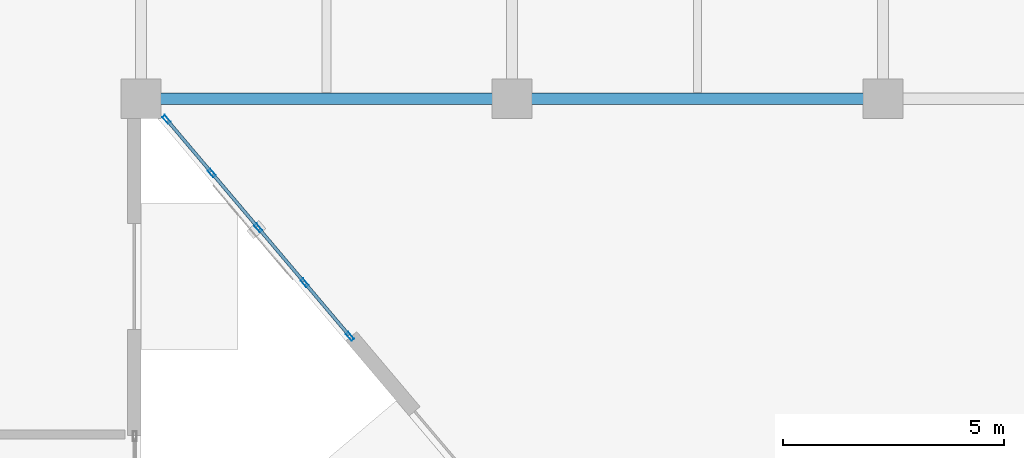
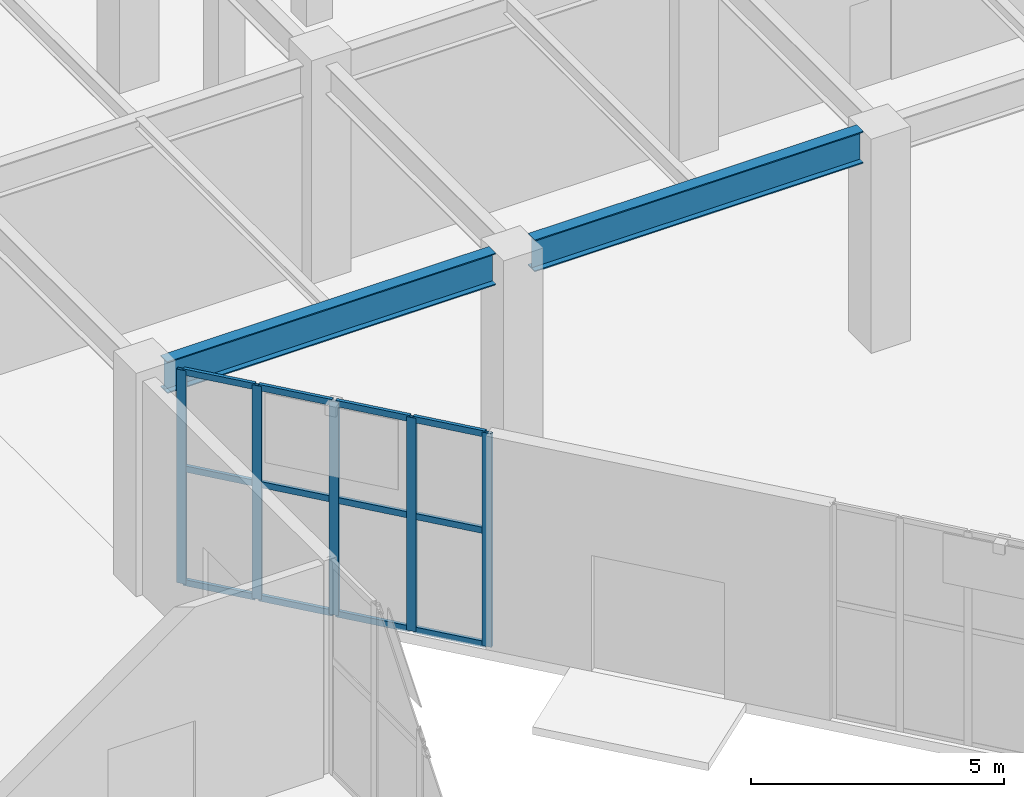
# One storey, part 16 of 139: 17 members, 2 beams, 1 element without a shape of its own.
"""IFC4 building model written with IfcOpenShell, lengths in metres."""

from ifc_helpers import new_model, si_unit, direction, frame, origin, origin_2d, place, context, subcontext, project, spatial, hollow_rectangle, i_section, extrude, material, layer, layer_set, material_profile, profile_set, type_object, element, aggregate, save


model = new_model("IFC4")

# Units and contexts
model_context = context("Model", 3, precision=1e-05, world=origin(), true_north=direction((0.0, 1.0)))
body_context = subcontext(model_context, "Body", "Model", "MODEL_VIEW")
ifc_project = project(units=[si_unit("LENGTHUNIT", "METRE"), si_unit("AREAUNIT", "SQUARE_METRE"), si_unit("VOLUMEUNIT", "CUBIC_METRE"), si_unit("PLANEANGLEUNIT", "RADIAN"), si_unit("MASSUNIT", "GRAM", prefix="KILO")], contexts=[model_context])

# Site, building, storey
site_placement = place(None, origin())
site = spatial("IfcSite", under=ifc_project, at=site_placement, CompositionType="ELEMENT")
building_placement = place(site_placement, origin())
building = spatial("IfcBuilding", under=site, at=building_placement, Name="Xicomal Pleat Aquarium", CompositionType="ELEMENT")
storey_placement = place(building_placement, origin())
storey = spatial("IfcBuildingStorey", under=building, at=storey_placement, Name="L01", CompositionType="ELEMENT", Elevation=0.0)

# Beams
ifc_material_1 = material(Name="Structural steel A992 Gr 50", Category="steel")
ifc_material_profile_1 = material_profile(ifc_material_1, i_section(OverallWidth=0.26806640625, OverallDepth=0.77001953125, WebThickness=0.015625, FlangeThickness=0.025390625, at=origin_2d()), Name="IR 760x196")
ifc_profile_set_1 = profile_set([ifc_material_profile_1], Name="Structural steel A992 Gr 50")
beam_type = type_object("IfcBeamType", Name="BM-STL-IR760", PredefinedType="BEAM", material=ifc_profile_set_1)
for number, where, z_axis, x_axis, name in (
    (1, (52.64501953125, 22.800048828125, 4.7900390625), (1.0, 0.0, 0.0), (0.0, 1.0, 0.0), "L01 framing beam FGX-L01-07-08-D"),
    (2, (61.044921875, 22.800048828125, 4.7900390625), (1.0, 0.0, 0.0), (0.0, 1.0, 0.0), "L01 framing beam FGX-L01-08-09-D"),
):
    element("IfcBeam", number, at=place(storey_placement, frame(where, z_axis=z_axis, x_axis=x_axis)), inside=storey, type_object=beam_type, Name=name, PredefinedType="BEAM", context=body_context, shape_type="SweptSolid", body=[
        extrude(i_section(OverallWidth=0.26806640625, OverallDepth=0.77001953125, WebThickness=0.015625, FlangeThickness=0.025390625, at=origin_2d()), origin(), (0.0, 0.0, 1.0), 7.510009765625),
    ])

# Curtain wall, members
ifc_material_2 = material(Name="Bronze anodized aluminium 6063-T6", Category="aluminium")
ifc_layer = layer(ifc_material_2, 0.159912109375)
ifc_layer_set = layer_set([ifc_layer], Name="Bronze anodized aluminium 6063-T6")
curtain_wall_type = type_object("IfcCurtainWallType", Name="CW-SYS-06", PredefinedType="NOTDEFINED", material=ifc_layer_set)
curtain_wall_placement = place(storey_placement, origin())
curtain_wall = element("IfcCurtainWall", 3, at=curtain_wall_placement, inside=storey, type_object=curtain_wall_type, Name="L01 unitised curtain wall CW-L01-004", PredefinedType="NOTDEFINED")
ifc_material_3 = material(Name="Bronze anodized aluminium 6063-T6", Category="aluminium")
ifc_material_profile_2 = material_profile(ifc_material_3, hollow_rectangle(XDim=0.074951171875, YDim=0.199951171875, WallThickness=0.00439453125, at=origin_2d()), Name="ALU MULL 75x200")
ifc_profile_set_2 = profile_set([ifc_material_profile_2], Name="Bronze anodized aluminium 6063-T6")
member_type_1 = type_object("IfcMemberType", Name="CWM-75x200", PredefinedType="MULLION", material=ifc_profile_set_2)
member_1_placement = place(storey_placement, frame((56.932861328125, 17.418701171875, 0.0), z_axis=(0.0, 0.0, 1.0), x_axis=(-0.763642662491, -0.645639128324, 0.0)))
member_1 = element("IfcMember", 4, at=member_1_placement, type_object=member_type_1, Name="CW-06 mullion 1", PredefinedType="MULLION", context=body_context, shape_type="SweptSolid", body=[
    extrude(hollow_rectangle(XDim=0.074951171875, YDim=0.199951171875, WallThickness=0.00439453125, at=origin_2d()), origin(), (0.0, 0.0, 1.0), 5.159912109375),
])
member_2_placement = place(storey_placement, frame((55.906494140625, 18.632568359375, 0.0), z_axis=(0.0, 0.0, 1.0), x_axis=(-0.763642662491, -0.645639128324, 0.0)))
member_2 = element("IfcMember", 5, at=member_2_placement, type_object=member_type_1, Name="CW-06 mullion 2", PredefinedType="MULLION", context=body_context, shape_type="SweptSolid", body=[
    extrude(hollow_rectangle(XDim=0.074951171875, YDim=0.199951171875, WallThickness=0.00439453125, at=origin_2d()), origin(), (0.0, 0.0, 1.0), 5.159912109375),
])
member_3_placement = place(storey_placement, frame((54.85595703125, 19.875, 0.0), z_axis=(0.0, 0.0, 1.0), x_axis=(-0.763642662491, -0.645639128324, 0.0)))
member_3 = element("IfcMember", 6, at=member_3_placement, type_object=member_type_1, Name="CW-06 mullion 3", PredefinedType="MULLION", context=body_context, shape_type="SweptSolid", body=[
    extrude(hollow_rectangle(XDim=0.074951171875, YDim=0.199951171875, WallThickness=0.00439453125, at=origin_2d()), origin(), (0.0, 0.0, 1.0), 5.159912109375),
])
member_4_placement = place(storey_placement, frame((53.805419921875, 21.117431640625, 0.0), z_axis=(0.0, 0.0, 1.0), x_axis=(-0.763642662491, -0.645639128324, 0.0)))
member_4 = element("IfcMember", 7, at=member_4_placement, type_object=member_type_1, Name="CW-06 mullion 4", PredefinedType="MULLION", context=body_context, shape_type="SweptSolid", body=[
    extrude(hollow_rectangle(XDim=0.074951171875, YDim=0.199951171875, WallThickness=0.00439453125, at=origin_2d()), origin(), (0.0, 0.0, 1.0), 5.159912109375),
])
member_5_placement = place(storey_placement, frame((52.779296875, 22.331298828125, 0.0), z_axis=(0.0, 0.0, 1.0), x_axis=(-0.763642662491, -0.645639128324, 0.0)))
member_5 = element("IfcMember", 8, at=member_5_placement, type_object=member_type_1, Name="CW-06 mullion 5", PredefinedType="MULLION", context=body_context, shape_type="SweptSolid", body=[
    extrude(hollow_rectangle(XDim=0.074951171875, YDim=0.199951171875, WallThickness=0.00439453125, at=origin_2d()), origin(), (0.0, 0.0, 1.0), 5.159912109375),
])
ifc_material_4 = material(Name="Bronze anodized aluminium 6063-T6", Category="aluminium")
ifc_material_profile_3 = material_profile(ifc_material_4, hollow_rectangle(XDim=0.074951171875, YDim=0.14990234375, WallThickness=0.00439453125, at=origin_2d()), Name="ALU TRAN 75x150")
ifc_profile_set_3 = profile_set([ifc_material_profile_3], Name="Bronze anodized aluminium 6063-T6")
member_type_2 = type_object("IfcMemberType", Name="CWT-75x150", PredefinedType="USERDEFINED", material=ifc_profile_set_3)
member_6_placement = place(storey_placement, frame((56.90869140625, 17.447265625, 0.03759765625), z_axis=(-0.645653197931, 0.763630766799, 0.0), x_axis=(-0.763630766799, -0.645653197931, 0.0)))
member_6 = element("IfcMember", 9, at=member_6_placement, type_object=member_type_2, Name="CW-06 transom 1.1", ObjectType="TRANSOM", PredefinedType="USERDEFINED", context=body_context, shape_type="SweptSolid", body=[
    extrude(hollow_rectangle(XDim=0.074951171875, YDim=0.14990234375, WallThickness=0.00439453125, at=origin_2d()), origin(), (0.0, 0.0, 1.0), 1.514892578125),
])
member_7_placement = place(storey_placement, frame((56.90869140625, 17.447265625, 2.785888671875), z_axis=(-0.645653197931, 0.763630766799, 0.0), x_axis=(-0.763630766799, -0.645653197931, 0.0)))
member_7 = element("IfcMember", 10, at=member_7_placement, type_object=member_type_2, Name="CW-06 transom 1.2", ObjectType="TRANSOM", PredefinedType="USERDEFINED", context=body_context, shape_type="SweptSolid", body=[
    extrude(hollow_rectangle(XDim=0.074951171875, YDim=0.14990234375, WallThickness=0.00439453125, at=origin_2d()), origin(), (0.0, 0.0, 1.0), 1.514892578125),
])
member_8_placement = place(storey_placement, frame((56.90869140625, 17.447265625, 5.12255859375), z_axis=(-0.645653197931, 0.763630766799, 0.0), x_axis=(-0.763630766799, -0.645653197931, 0.0)))
member_8 = element("IfcMember", 11, at=member_8_placement, type_object=member_type_2, Name="CW-06 transom 1.3", ObjectType="TRANSOM", PredefinedType="USERDEFINED", context=body_context, shape_type="SweptSolid", body=[
    extrude(hollow_rectangle(XDim=0.074951171875, YDim=0.14990234375, WallThickness=0.00439453125, at=origin_2d()), origin(), (0.0, 0.0, 1.0), 1.514892578125),
])
member_9_placement = place(storey_placement, frame((55.88232421875, 18.6611328125, 0.03759765625), z_axis=(-0.645660166818, 0.763624874519, 0.0), x_axis=(-0.763624874519, -0.645660166818, 0.0)))
member_9 = element("IfcMember", 12, at=member_9_placement, type_object=member_type_2, Name="CW-06 transom 2.1", ObjectType="TRANSOM", PredefinedType="USERDEFINED", context=body_context, shape_type="SweptSolid", body=[
    extrude(hollow_rectangle(XDim=0.074951171875, YDim=0.14990234375, WallThickness=0.00439453125, at=origin_2d()), origin(), (0.0, 0.0, 1.0), 1.55224609375),
])
member_10_placement = place(storey_placement, frame((55.88232421875, 18.6611328125, 2.785888671875), z_axis=(-0.645660166818, 0.763624874519, 0.0), x_axis=(-0.763624874519, -0.645660166818, 0.0)))
member_10 = element("IfcMember", 13, at=member_10_placement, type_object=member_type_2, Name="CW-06 transom 2.2", ObjectType="TRANSOM", PredefinedType="USERDEFINED", context=body_context, shape_type="SweptSolid", body=[
    extrude(hollow_rectangle(XDim=0.074951171875, YDim=0.14990234375, WallThickness=0.00439453125, at=origin_2d()), origin(), (0.0, 0.0, 1.0), 1.55224609375),
])
member_11_placement = place(storey_placement, frame((55.88232421875, 18.6611328125, 5.12255859375), z_axis=(-0.645660166818, 0.763624874519, 0.0), x_axis=(-0.763624874519, -0.645660166818, 0.0)))
member_11 = element("IfcMember", 14, at=member_11_placement, type_object=member_type_2, Name="CW-06 transom 2.3", ObjectType="TRANSOM", PredefinedType="USERDEFINED", context=body_context, shape_type="SweptSolid", body=[
    extrude(hollow_rectangle(XDim=0.074951171875, YDim=0.14990234375, WallThickness=0.00439453125, at=origin_2d()), origin(), (0.0, 0.0, 1.0), 1.55224609375),
])
member_12_placement = place(storey_placement, frame((54.831787109375, 19.903564453125, 0.03759765625), z_axis=(-0.645660166818, 0.763624874519, 0.0), x_axis=(-0.763624874519, -0.645660166818, 0.0)))
member_12 = element("IfcMember", 15, at=member_12_placement, type_object=member_type_2, Name="CW-06 transom 3.1", ObjectType="TRANSOM", PredefinedType="USERDEFINED", context=body_context, shape_type="SweptSolid", body=[
    extrude(hollow_rectangle(XDim=0.074951171875, YDim=0.14990234375, WallThickness=0.00439453125, at=origin_2d()), origin(), (0.0, 0.0, 1.0), 1.55224609375),
])
member_13_placement = place(storey_placement, frame((54.831787109375, 19.903564453125, 2.785888671875), z_axis=(-0.645660166818, 0.763624874519, 0.0), x_axis=(-0.763624874519, -0.645660166818, 0.0)))
member_13 = element("IfcMember", 16, at=member_13_placement, type_object=member_type_2, Name="CW-06 transom 3.2", ObjectType="TRANSOM", PredefinedType="USERDEFINED", context=body_context, shape_type="SweptSolid", body=[
    extrude(hollow_rectangle(XDim=0.074951171875, YDim=0.14990234375, WallThickness=0.00439453125, at=origin_2d()), origin(), (0.0, 0.0, 1.0), 1.55224609375),
])
member_14_placement = place(storey_placement, frame((54.831787109375, 19.903564453125, 5.12255859375), z_axis=(-0.645660166818, 0.763624874519, 0.0), x_axis=(-0.763624874519, -0.645660166818, 0.0)))
member_14 = element("IfcMember", 17, at=member_14_placement, type_object=member_type_2, Name="CW-06 transom 3.3", ObjectType="TRANSOM", PredefinedType="USERDEFINED", context=body_context, shape_type="SweptSolid", body=[
    extrude(hollow_rectangle(XDim=0.074951171875, YDim=0.14990234375, WallThickness=0.00439453125, at=origin_2d()), origin(), (0.0, 0.0, 1.0), 1.55224609375),
])
member_15_placement = place(storey_placement, frame((53.78125, 21.14599609375, 0.03759765625), z_axis=(-0.645559198984, 0.763710233405, 0.0), x_axis=(-0.763710233405, -0.645559198984, 0.0)))
member_15 = element("IfcMember", 18, at=member_15_placement, type_object=member_type_2, Name="CW-06 transom 4.1", ObjectType="TRANSOM", PredefinedType="USERDEFINED", context=body_context, shape_type="SweptSolid", body=[
    extrude(hollow_rectangle(XDim=0.074951171875, YDim=0.14990234375, WallThickness=0.00439453125, at=origin_2d()), origin(), (0.0, 0.0, 1.0), 1.5146484375),
])
member_16_placement = place(storey_placement, frame((53.78125, 21.14599609375, 2.785888671875), z_axis=(-0.645559198984, 0.763710233405, 0.0), x_axis=(-0.763710233405, -0.645559198984, 0.0)))
member_16 = element("IfcMember", 19, at=member_16_placement, type_object=member_type_2, Name="CW-06 transom 4.2", ObjectType="TRANSOM", PredefinedType="USERDEFINED", context=body_context, shape_type="SweptSolid", body=[
    extrude(hollow_rectangle(XDim=0.074951171875, YDim=0.14990234375, WallThickness=0.00439453125, at=origin_2d()), origin(), (0.0, 0.0, 1.0), 1.5146484375),
])
member_17_placement = place(storey_placement, frame((53.78125, 21.14599609375, 5.12255859375), z_axis=(-0.645559198984, 0.763710233405, 0.0), x_axis=(-0.763710233405, -0.645559198984, 0.0)))
member_17 = element("IfcMember", 20, at=member_17_placement, type_object=member_type_2, Name="CW-06 transom 4.3", ObjectType="TRANSOM", PredefinedType="USERDEFINED", context=body_context, shape_type="SweptSolid", body=[
    extrude(hollow_rectangle(XDim=0.074951171875, YDim=0.14990234375, WallThickness=0.00439453125, at=origin_2d()), origin(), (0.0, 0.0, 1.0), 1.5146484375),
])
aggregate(curtain_wall, [member_1, member_2, member_3, member_4, member_5, member_6, member_7, member_8, member_9, member_10, member_11, member_12, member_13, member_14, member_15, member_16, member_17])

save(model, "model.ifc")
